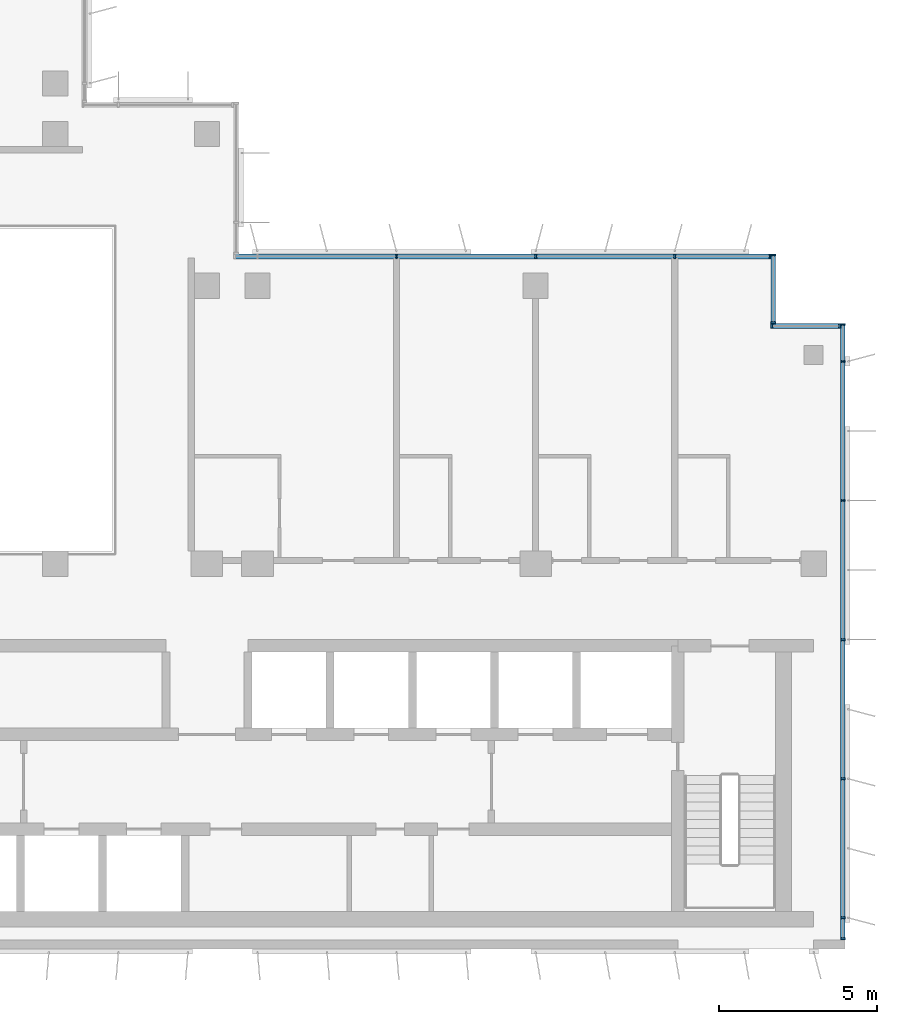
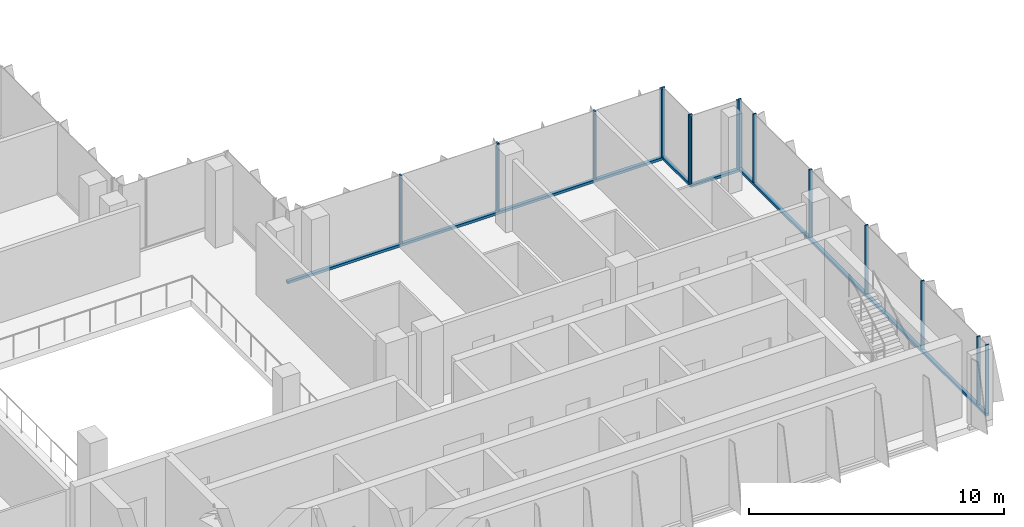
# One storey, part 3 of 15: 19 members, 4 elements without a shape of their own.
"""IFC4 building model written with IfcOpenShell, lengths in metres."""

from ifc_helpers import new_model, si_unit, direction, frame, origin, origin_2d, place, context, subcontext, project, spatial, rectangle, extrude, source, transform, mapped, material, material_profile, profile_set, type_object, element, aggregate, save


model = new_model("IFC4")

# Units and contexts
model_context = context("Model", 3, precision=1e-05, world=origin(), true_north=direction((0.0, 1.0)))
body_context = subcontext(model_context, "Body", "Model", "MODEL_VIEW")
ifc_project = project(units=[si_unit("LENGTHUNIT", "METRE"), si_unit("AREAUNIT", "SQUARE_METRE"), si_unit("VOLUMEUNIT", "CUBIC_METRE"), si_unit("PLANEANGLEUNIT", "RADIAN"), si_unit("MASSUNIT", "GRAM", prefix="KILO")], contexts=[model_context])

# Site, building, storey
site_placement = place(None, origin())
site = spatial("IfcSite", under=ifc_project, at=site_placement, CompositionType="ELEMENT")
building_placement = place(site_placement, origin())
building = spatial("IfcBuilding", under=site, at=building_placement, Name="Kemantara Hotel Tower", CompositionType="ELEMENT")
storey_placement = place(building_placement, frame((0.0, 0.0, 298.10009765625)))
storey = spatial("IfcBuildingStorey", under=building, at=storey_placement, Name="L75", CompositionType="ELEMENT", Elevation=298.10009765625)

# Curtain wall, member
ifc_material_1 = material(Name="Low-E tinted double insulated glass 36 mm", Category="glass")
curtain_wall_type = type_object("IfcCurtainWallType", Name="TOWER CURTAIN WALL, FRONT FACES", PredefinedType="USERDEFINED", material=ifc_material_1)
curtain_wall_1_placement = place(storey_placement, origin())
curtain_wall_1 = element("IfcCurtainWall", 1, at=curtain_wall_1_placement, inside=storey, type_object=curtain_wall_type, Name="CW4 L75 T4-R09-1", ObjectType="TOWER CURTAIN WALL, FRONT FACES", PredefinedType="USERDEFINED")
ifc_material_2 = material(Name="Aluminium 6063-T6 bronze anodised", Category="aluminium")
ifc_material_profile_1 = material_profile(ifc_material_2, rectangle(XDim=0.14990234375, YDim=0.1201171875, at=origin_2d()), Name="TOWER CURTAIN WALL, FRONT FACES TRANSOM")
ifc_profile_set_1 = profile_set([ifc_material_profile_1], Name="Aluminium 6063-T6 bronze anodised")
member_type_1 = type_object("IfcMemberType", Name="TOWER CURTAIN WALL, FRONT FACES TRANSOM", PredefinedType="USERDEFINED", material=ifc_profile_set_1)
member_1_placement = place(storey_placement, frame((45.925048828125, 0.300048828125, 0.059814453125), z_axis=(0.0, 1.0, 0.0), x_axis=(-1.0, 0.0, 0.0)))
member_1 = element("IfcMember", 2, at=member_1_placement, type_object=member_type_1, Name="CW4 sill transom T4-R09-1", ObjectType="TRANSOM", PredefinedType="USERDEFINED", context=body_context, shape_type="SweptSolid", body=[
    extrude(rectangle(XDim=0.14990234375, YDim=0.1201171875, at=origin_2d()), origin(), (0.0, 0.0, 1.0), 19.5),
])

curtain_wall_2_placement = place(storey_placement, origin())
curtain_wall_2 = element("IfcCurtainWall", 3, at=curtain_wall_2_placement, inside=storey, type_object=curtain_wall_type, Name="CW4 L75 T4-R12-1", ObjectType="TOWER CURTAIN WALL, FRONT FACES", PredefinedType="USERDEFINED")
member_2_placement = place(storey_placement, frame((43.64990234375, 21.925048828125, 0.059814453125), z_axis=(-1.0, 0.0, 0.0), x_axis=(0.0, -1.0, 0.0)))
member_2 = element("IfcMember", 4, at=member_2_placement, type_object=member_type_1, Name="CW4 sill transom T4-R12-1", ObjectType="TRANSOM", PredefinedType="USERDEFINED", context=body_context, shape_type="SweptSolid", body=[
    extrude(rectangle(XDim=0.14990234375, YDim=0.1201171875, at=origin_2d()), origin(), (0.0, 0.0, 1.0), 17.0),
])

curtain_wall_3_placement = place(storey_placement, origin())
curtain_wall_3 = element("IfcCurtainWall", 5, at=curtain_wall_3_placement, inside=storey, type_object=curtain_wall_type, Name="CW4 L75 T4-R10-1", ObjectType="TOWER CURTAIN WALL, FRONT FACES", PredefinedType="USERDEFINED")
member_3_placement = place(storey_placement, frame((45.85009765625, 19.72509765625, 0.059814453125), z_axis=(-1.0, 0.0, 0.0), x_axis=(0.0, -1.0, 0.0)))
member_3 = element("IfcMember", 6, at=member_3_placement, type_object=member_type_1, Name="CW4 sill transom T4-R10-1", ObjectType="TRANSOM", PredefinedType="USERDEFINED", context=body_context, shape_type="SweptSolid", body=[
    extrude(rectangle(XDim=0.14990234375, YDim=0.1201171875, at=origin_2d()), origin(), (0.0, 0.0, 1.0), 2.2001953125),
])

curtain_wall_4_placement = place(storey_placement, origin())
curtain_wall_4 = element("IfcCurtainWall", 7, at=curtain_wall_4_placement, inside=storey, type_object=curtain_wall_type, Name="CW4 L75 T4-R11-1", ObjectType="TOWER CURTAIN WALL, FRONT FACES", PredefinedType="USERDEFINED")
member_4_placement = place(storey_placement, frame((43.72509765625, 19.800048828125, 0.059814453125), z_axis=(0.0, 1.0, 0.0), x_axis=(-1.0, 0.0, 0.0)))
member_4 = element("IfcMember", 8, at=member_4_placement, type_object=member_type_1, Name="CW4 sill transom T4-R11-1", ObjectType="TRANSOM", PredefinedType="USERDEFINED", context=body_context, shape_type="SweptSolid", body=[
    extrude(rectangle(XDim=0.14990234375, YDim=0.1201171875, at=origin_2d()), origin(), (0.0, 0.0, 1.0), 2.199951171875),
])

# Member
ifc_material_profile_2 = material_profile(ifc_material_2, rectangle(XDim=0.14990234375, YDim=0.06005859375, at=origin_2d()), Name="TOWER CURTAIN WALL, FRONT FACES MULLION")
ifc_profile_set_2 = profile_set([ifc_material_profile_2], Name="Aluminium 6063-T6 bronze anodised")
member_type_2 = type_object("IfcMemberType", Name="TOWER CURTAIN WALL, FRONT FACES MULLION", PredefinedType="MULLION", material=ifc_profile_set_2)
shared_shape = source(origin(), body_context, "Body", "SweptSolid", [
    extrude(rectangle(XDim=0.14990234375, YDim=0.06005859375, at=origin_2d()), origin(), (0.0, 0.0, 1.0), 3.280029296875),
])
member_5_placement = place(storey_placement, frame((45.925048828125, 0.330078125, 0.119873046875), z_axis=(0.0, 0.0, 1.0), x_axis=(-1.0, 0.0, 0.0)))
member_5 = element("IfcMember", 9, at=member_5_placement, type_object=member_type_2, Name="CW4 mullion T4-R09-1.1", PredefinedType="MULLION", context=body_context, shape_type="MappedRepresentation", body=[
    mapped(shared_shape, transform((0.0, 0.0, 0.0))),
])

member_6_placement = place(storey_placement, frame((45.925048828125, 1.0, 0.119873046875), z_axis=(0.0, 0.0, 1.0), x_axis=(-1.0, 0.0, 0.0)))
member_6 = element("IfcMember", 10, at=member_6_placement, type_object=member_type_2, Name="CW4 mullion T4-R09-1.2", PredefinedType="MULLION", context=body_context, shape_type="MappedRepresentation", body=[
    mapped(shared_shape, transform((0.0, 0.0, 0.0))),
])

member_7_placement = place(storey_placement, frame((45.925048828125, 5.39990234375, 0.119873046875), z_axis=(0.0, 0.0, 1.0), x_axis=(-1.0, 0.0, 0.0)))
member_7 = element("IfcMember", 11, at=member_7_placement, type_object=member_type_2, Name="CW4 mullion T4-R09-1.3", PredefinedType="MULLION", context=body_context, shape_type="MappedRepresentation", body=[
    mapped(shared_shape, transform((0.0, 0.0, 0.0))),
])

member_8_placement = place(storey_placement, frame((45.925048828125, 9.800048828125, 0.119873046875), z_axis=(0.0, 0.0, 1.0), x_axis=(-1.0, 0.0, 0.0)))
member_8 = element("IfcMember", 12, at=member_8_placement, type_object=member_type_2, Name="CW4 mullion T4-R09-1.4", PredefinedType="MULLION", context=body_context, shape_type="MappedRepresentation", body=[
    mapped(shared_shape, transform((0.0, 0.0, 0.0))),
])

member_9_placement = place(storey_placement, frame((45.925048828125, 14.199951171875, 0.119873046875), z_axis=(0.0, 0.0, 1.0), x_axis=(-1.0, 0.0, 0.0)))
member_9 = element("IfcMember", 13, at=member_9_placement, type_object=member_type_2, Name="CW4 mullion T4-R09-1.5", PredefinedType="MULLION", context=body_context, shape_type="MappedRepresentation", body=[
    mapped(shared_shape, transform((0.0, 0.0, 0.0))),
])

member_10_placement = place(storey_placement, frame((45.925048828125, 18.60009765625, 0.119873046875), z_axis=(0.0, 0.0, 1.0), x_axis=(-1.0, 0.0, 0.0)))
member_10 = element("IfcMember", 14, at=member_10_placement, type_object=member_type_2, Name="CW4 mullion T4-R09-1.6", PredefinedType="MULLION", context=body_context, shape_type="MappedRepresentation", body=[
    mapped(shared_shape, transform((0.0, 0.0, 0.0))),
])

member_11_placement = place(storey_placement, frame((45.925048828125, 19.77001953125, 0.119873046875), z_axis=(0.0, 0.0, 1.0), x_axis=(-1.0, 0.0, 0.0)))
member_11 = element("IfcMember", 15, at=member_11_placement, type_object=member_type_2, Name="CW4 mullion T4-R09-1.7", PredefinedType="MULLION", context=body_context, shape_type="MappedRepresentation", body=[
    mapped(shared_shape, transform((0.0, 0.0, 0.0))),
])

aggregate(curtain_wall_1, [member_1, member_5, member_6, member_7, member_8, member_9, member_10, member_11])

member_12_placement = place(storey_placement, frame((43.6201171875, 21.925048828125, 0.119873046875), z_axis=(0.0, 0.0, 1.0), x_axis=(0.0, -1.0, 0.0)))
member_12 = element("IfcMember", 16, at=member_12_placement, type_object=member_type_2, Name="CW4 mullion T4-R12-1.1", PredefinedType="MULLION", context=body_context, shape_type="MappedRepresentation", body=[
    mapped(shared_shape, transform((0.0, 0.0, 0.0))),
])

member_13_placement = place(storey_placement, frame((40.60009765625, 21.925048828125, 0.119873046875), z_axis=(0.0, 0.0, 1.0), x_axis=(0.0, -1.0, 0.0)))
member_13 = element("IfcMember", 17, at=member_13_placement, type_object=member_type_2, Name="CW4 mullion T4-R12-1.2", PredefinedType="MULLION", context=body_context, shape_type="MappedRepresentation", body=[
    mapped(shared_shape, transform((0.0, 0.0, 0.0))),
])

member_14_placement = place(storey_placement, frame((36.199951171875, 21.925048828125, 0.119873046875), z_axis=(0.0, 0.0, 1.0), x_axis=(0.0, -1.0, 0.0)))
member_14 = element("IfcMember", 18, at=member_14_placement, type_object=member_type_2, Name="CW4 mullion T4-R12-1.3", PredefinedType="MULLION", context=body_context, shape_type="MappedRepresentation", body=[
    mapped(shared_shape, transform((0.0, 0.0, 0.0))),
])

member_15_placement = place(storey_placement, frame((31.800048828125, 21.925048828125, 0.119873046875), z_axis=(0.0, 0.0, 1.0), x_axis=(0.0, -1.0, 0.0)))
member_15 = element("IfcMember", 19, at=member_15_placement, type_object=member_type_2, Name="CW4 mullion T4-R12-1.4", PredefinedType="MULLION", context=body_context, shape_type="MappedRepresentation", body=[
    mapped(shared_shape, transform((0.0, 0.0, 0.0))),
])

aggregate(curtain_wall_2, [member_2, member_12, member_13, member_14, member_15])

member_16_placement = place(storey_placement, frame((45.820068359375, 19.72509765625, 0.119873046875), z_axis=(0.0, 0.0, 1.0), x_axis=(0.0, -1.0, 0.0)))
member_16 = element("IfcMember", 20, at=member_16_placement, type_object=member_type_2, Name="CW4 mullion T4-R10-1.1", PredefinedType="MULLION", context=body_context, shape_type="MappedRepresentation", body=[
    mapped(shared_shape, transform((0.0, 0.0, 0.0))),
])

member_17_placement = place(storey_placement, frame((43.679931640625, 19.72509765625, 0.119873046875), z_axis=(0.0, 0.0, 1.0), x_axis=(0.0, -1.0, 0.0)))
member_17 = element("IfcMember", 21, at=member_17_placement, type_object=member_type_2, Name="CW4 mullion T4-R10-1.2", PredefinedType="MULLION", context=body_context, shape_type="MappedRepresentation", body=[
    mapped(shared_shape, transform((0.0, 0.0, 0.0))),
])

aggregate(curtain_wall_3, [member_3, member_16, member_17])

member_18_placement = place(storey_placement, frame((43.72509765625, 19.830078125, 0.119873046875), z_axis=(0.0, 0.0, 1.0), x_axis=(-1.0, 0.0, 0.0)))
member_18 = element("IfcMember", 22, at=member_18_placement, type_object=member_type_2, Name="CW4 mullion T4-R11-1.1", PredefinedType="MULLION", context=body_context, shape_type="MappedRepresentation", body=[
    mapped(shared_shape, transform((0.0, 0.0, 0.0))),
])

member_19_placement = place(storey_placement, frame((43.72509765625, 21.969970703125, 0.119873046875), z_axis=(0.0, 0.0, 1.0), x_axis=(-1.0, 0.0, 0.0)))
member_19 = element("IfcMember", 23, at=member_19_placement, type_object=member_type_2, Name="CW4 mullion T4-R11-1.2", PredefinedType="MULLION", context=body_context, shape_type="MappedRepresentation", body=[
    mapped(shared_shape, transform((0.0, 0.0, 0.0))),
])

aggregate(curtain_wall_4, [member_4, member_18, member_19])

save(model, "model.ifc")
